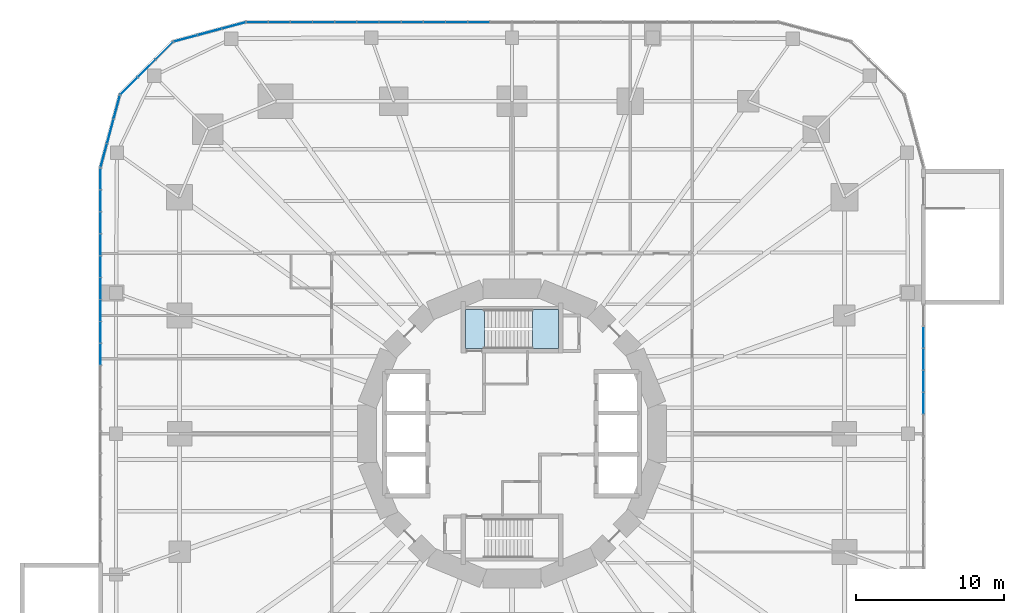
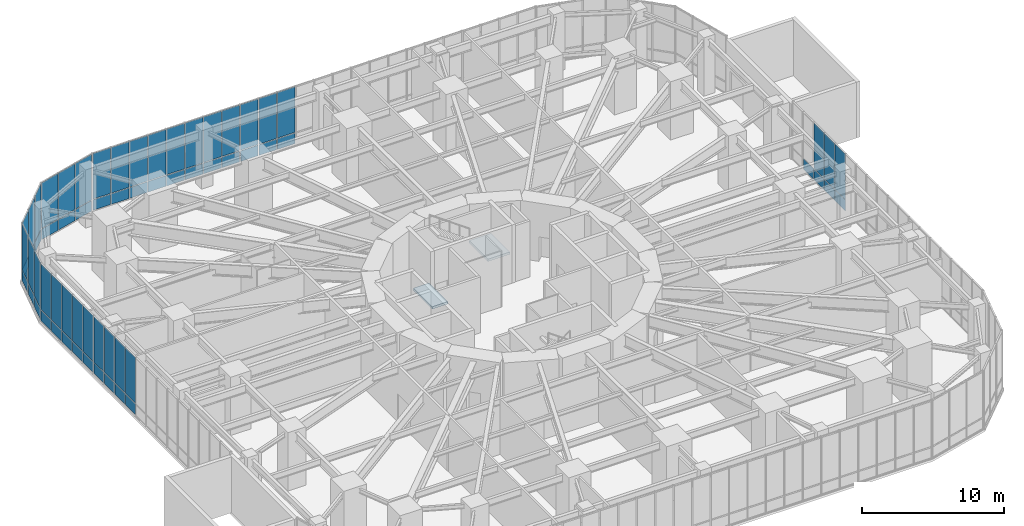
# One storey, part 19 of 24: 65 plates, 2 slabs, 7 elements without a shape of their own.
"""IFC4 building model written with IfcOpenShell, lengths in metres."""

from ifc_helpers import new_model, si_unit, direction, frame, origin, origin_2d, place, context, subcontext, project, spatial, polyline, rectangle, outline, extrude, material, layer, layer_set, type_object, element, aggregate, save


model = new_model("IFC4")

# Units and contexts
model_context = context("Model", 3, precision=1e-05, world=origin(), true_north=direction((0.0, 1.0)))
body_context = subcontext(model_context, "Body", "Model", "MODEL_VIEW")
ifc_project = project(units=[si_unit("LENGTHUNIT", "METRE"), si_unit("AREAUNIT", "SQUARE_METRE"), si_unit("VOLUMEUNIT", "CUBIC_METRE"), si_unit("PLANEANGLEUNIT", "RADIAN"), si_unit("MASSUNIT", "GRAM", prefix="KILO")], contexts=[model_context])

# Site, building, storey
site_placement = place(None, origin())
site = spatial("IfcSite", under=ifc_project, at=site_placement, CompositionType="ELEMENT")
building_placement = place(site_placement, origin())
building = spatial("IfcBuilding", under=site, at=building_placement, Name="Nakasero Lantern House", CompositionType="ELEMENT")
storey_placement = place(building_placement, frame((0.0, 0.0, 11.0)))
storey = spatial("IfcBuildingStorey", under=building, at=storey_placement, Name="L02", CompositionType="ELEMENT", Elevation=11.0)

# Curtain wall, plates
ifc_material_1 = material(Name="Aluminium 6063-T6 and glass", Category="aluminium")
curtain_wall_type = type_object("IfcCurtainWallType", Name="Podium curtain wall CW-2", PredefinedType="USERDEFINED", material=ifc_material_1)
curtain_wall_1_placement = place(storey_placement, origin())
curtain_wall_1 = element("IfcCurtainWall", 1, at=curtain_wall_1_placement, inside=storey, type_object=curtain_wall_type, Name="Curtain wall CW-2 L02", ObjectType="STICK CURTAIN WALL", PredefinedType="USERDEFINED")
ifc_material_2 = material(Name="Glass", Category="glass")
ifc_layer_1 = layer(ifc_material_2, 0.028076171875)
ifc_layer_set_1 = layer_set([ifc_layer_1], Name="Glazed panel CW-2")
plate_type = type_object("IfcPlateType", Name="Glazed panel CW-2", PredefinedType="CURTAIN_PANEL", material=ifc_layer_set_1)
plate_1_placement = place(storey_placement, frame((27.85009765625, 2.0625, 0.06005859375), z_axis=(0.0, 0.0, 1.0), x_axis=(0.0, 1.0, 0.0)))
plate_1 = element("IfcPlate", 2, at=plate_1_placement, type_object=plate_type, Name="CW-2 panel 14.1", PredefinedType="CURTAIN_PANEL", context=body_context, shape_type="SweptSolid", body=[
    extrude(rectangle(XDim=1.426025390625, YDim=0.028076171875, at=origin_2d()), origin(), (0.0, 0.0, 1.0), 0.909912109375),
])
plate_2_placement = place(storey_placement, frame((27.85009765625, 2.0625, 1.0302734375), z_axis=(0.0, 0.0, 1.0), x_axis=(0.0, 1.0, 0.0)))
plate_2 = element("IfcPlate", 3, at=plate_2_placement, type_object=plate_type, Name="CW-2 panel 14.2", PredefinedType="CURTAIN_PANEL", context=body_context, shape_type="SweptSolid", body=[
    extrude(rectangle(XDim=1.426025390625, YDim=0.028076171875, at=origin_2d()), origin(), (0.0, 0.0, 1.0), 3.909912109375),
])
plate_3_placement = place(storey_placement, frame((27.85009765625, 3.548583984375, 0.06005859375), z_axis=(0.0, 0.0, 1.0), x_axis=(0.0, 1.0, 0.0)))
plate_3 = element("IfcPlate", 4, at=plate_3_placement, type_object=plate_type, Name="CW-2 panel 15.1", PredefinedType="CURTAIN_PANEL", context=body_context, shape_type="SweptSolid", body=[
    extrude(rectangle(XDim=1.426025390625, YDim=0.028076171875, at=origin_2d()), origin(), (0.0, 0.0, 1.0), 0.909912109375),
])
plate_4_placement = place(storey_placement, frame((27.85009765625, 3.548583984375, 1.0302734375), z_axis=(0.0, 0.0, 1.0), x_axis=(0.0, 1.0, 0.0)))
plate_4 = element("IfcPlate", 5, at=plate_4_placement, type_object=plate_type, Name="CW-2 panel 15.2", PredefinedType="CURTAIN_PANEL", context=body_context, shape_type="SweptSolid", body=[
    extrude(rectangle(XDim=1.426025390625, YDim=0.028076171875, at=origin_2d()), origin(), (0.0, 0.0, 1.0), 3.909912109375),
])
plate_5_placement = place(storey_placement, frame((27.85009765625, 5.03466796875, 0.06005859375), z_axis=(0.0, 0.0, 1.0), x_axis=(0.0, 1.0, 0.0)))
plate_5 = element("IfcPlate", 6, at=plate_5_placement, type_object=plate_type, Name="CW-2 panel 16.1", PredefinedType="CURTAIN_PANEL", context=body_context, shape_type="SweptSolid", body=[
    extrude(rectangle(XDim=1.426025390625, YDim=0.028076171875, at=origin_2d()), origin(), (0.0, 0.0, 1.0), 0.909912109375),
])
plate_6_placement = place(storey_placement, frame((27.85009765625, 5.03466796875, 1.0302734375), z_axis=(0.0, 0.0, 1.0), x_axis=(0.0, 1.0, 0.0)))
plate_6 = element("IfcPlate", 7, at=plate_6_placement, type_object=plate_type, Name="CW-2 panel 16.2", PredefinedType="CURTAIN_PANEL", context=body_context, shape_type="SweptSolid", body=[
    extrude(rectangle(XDim=1.426025390625, YDim=0.028076171875, at=origin_2d()), origin(), (0.0, 0.0, 1.0), 3.909912109375),
])
plate_7_placement = place(storey_placement, frame((27.85009765625, 6.520751953125, 0.06005859375), z_axis=(0.0, 0.0, 1.0), x_axis=(0.0, 1.0, 0.0)))
plate_7 = element("IfcPlate", 8, at=plate_7_placement, type_object=plate_type, Name="CW-2 panel 17.1", PredefinedType="CURTAIN_PANEL", context=body_context, shape_type="SweptSolid", body=[
    extrude(rectangle(XDim=1.426025390625, YDim=0.028076171875, at=origin_2d()), origin(), (0.0, 0.0, 1.0), 0.909912109375),
])
aggregate(curtain_wall_1, [plate_1, plate_2, plate_3, plate_4, plate_5, plate_6, plate_7])

curtain_wall_2_placement = place(storey_placement, origin())
curtain_wall_2 = element("IfcCurtainWall", 9, at=curtain_wall_2_placement, inside=storey, type_object=curtain_wall_type, Name="Curtain wall CW-2 L02", ObjectType="STICK CURTAIN WALL", PredefinedType="USERDEFINED")
plate_8_placement = place(storey_placement, frame((-2.25, 27.85009765625, 0.06005859375), z_axis=(0.0, 0.0, 1.0), x_axis=(-1.0, 0.0, 0.0)))
plate_8 = element("IfcPlate", 10, at=plate_8_placement, type_object=plate_type, Name="CW-2 panel 14.1", PredefinedType="CURTAIN_PANEL", context=body_context, shape_type="SweptSolid", body=[
    extrude(rectangle(XDim=1.43994140625, YDim=0.028076171875, at=origin_2d()), origin(), (0.0, 0.0, 1.0), 0.909912109375),
])
plate_9_placement = place(storey_placement, frame((-2.25, 27.85009765625, 1.0302734375), z_axis=(0.0, 0.0, 1.0), x_axis=(-1.0, 0.0, 0.0)))
plate_9 = element("IfcPlate", 11, at=plate_9_placement, type_object=plate_type, Name="CW-2 panel 14.2", PredefinedType="CURTAIN_PANEL", context=body_context, shape_type="SweptSolid", body=[
    extrude(rectangle(XDim=1.43994140625, YDim=0.028076171875, at=origin_2d()), origin(), (0.0, 0.0, 1.0), 3.909912109375),
])
plate_10_placement = place(storey_placement, frame((-3.75, 27.85009765625, 0.06005859375), z_axis=(0.0, 0.0, 1.0), x_axis=(-1.0, 0.0, 0.0)))
plate_10 = element("IfcPlate", 12, at=plate_10_placement, type_object=plate_type, Name="CW-2 panel 15.1", PredefinedType="CURTAIN_PANEL", context=body_context, shape_type="SweptSolid", body=[
    extrude(rectangle(XDim=1.43994140625, YDim=0.028076171875, at=origin_2d()), origin(), (0.0, 0.0, 1.0), 0.909912109375),
])
plate_11_placement = place(storey_placement, frame((-3.75, 27.85009765625, 1.0302734375), z_axis=(0.0, 0.0, 1.0), x_axis=(-1.0, 0.0, 0.0)))
plate_11 = element("IfcPlate", 13, at=plate_11_placement, type_object=plate_type, Name="CW-2 panel 15.2", PredefinedType="CURTAIN_PANEL", context=body_context, shape_type="SweptSolid", body=[
    extrude(rectangle(XDim=1.43994140625, YDim=0.028076171875, at=origin_2d()), origin(), (0.0, 0.0, 1.0), 3.909912109375),
])
plate_12_placement = place(storey_placement, frame((-5.25, 27.85009765625, 0.06005859375), z_axis=(0.0, 0.0, 1.0), x_axis=(-1.0, 0.0, 0.0)))
plate_12 = element("IfcPlate", 14, at=plate_12_placement, type_object=plate_type, Name="CW-2 panel 16.1", PredefinedType="CURTAIN_PANEL", context=body_context, shape_type="SweptSolid", body=[
    extrude(rectangle(XDim=1.43994140625, YDim=0.028076171875, at=origin_2d()), origin(), (0.0, 0.0, 1.0), 0.909912109375),
])
plate_13_placement = place(storey_placement, frame((-5.25, 27.85009765625, 1.0302734375), z_axis=(0.0, 0.0, 1.0), x_axis=(-1.0, 0.0, 0.0)))
plate_13 = element("IfcPlate", 15, at=plate_13_placement, type_object=plate_type, Name="CW-2 panel 16.2", PredefinedType="CURTAIN_PANEL", context=body_context, shape_type="SweptSolid", body=[
    extrude(rectangle(XDim=1.43994140625, YDim=0.028076171875, at=origin_2d()), origin(), (0.0, 0.0, 1.0), 3.909912109375),
])
plate_14_placement = place(storey_placement, frame((-6.75, 27.85009765625, 0.06005859375), z_axis=(0.0, 0.0, 1.0), x_axis=(-1.0, 0.0, 0.0)))
plate_14 = element("IfcPlate", 16, at=plate_14_placement, type_object=plate_type, Name="CW-2 panel 17.1", PredefinedType="CURTAIN_PANEL", context=body_context, shape_type="SweptSolid", body=[
    extrude(rectangle(XDim=1.43994140625, YDim=0.028076171875, at=origin_2d()), origin(), (0.0, 0.0, 1.0), 0.909912109375),
])
plate_15_placement = place(storey_placement, frame((-6.75, 27.85009765625, 1.0302734375), z_axis=(0.0, 0.0, 1.0), x_axis=(-1.0, 0.0, 0.0)))
plate_15 = element("IfcPlate", 17, at=plate_15_placement, type_object=plate_type, Name="CW-2 panel 17.2", PredefinedType="CURTAIN_PANEL", context=body_context, shape_type="SweptSolid", body=[
    extrude(rectangle(XDim=1.43994140625, YDim=0.028076171875, at=origin_2d()), origin(), (0.0, 0.0, 1.0), 3.909912109375),
])
plate_16_placement = place(storey_placement, frame((-8.25, 27.85009765625, 0.06005859375), z_axis=(0.0, 0.0, 1.0), x_axis=(-1.0, 0.0, 0.0)))
plate_16 = element("IfcPlate", 18, at=plate_16_placement, type_object=plate_type, Name="CW-2 panel 18.1", PredefinedType="CURTAIN_PANEL", context=body_context, shape_type="SweptSolid", body=[
    extrude(rectangle(XDim=1.43994140625, YDim=0.028076171875, at=origin_2d()), origin(), (0.0, 0.0, 1.0), 0.909912109375),
])
plate_17_placement = place(storey_placement, frame((-8.25, 27.85009765625, 1.0302734375), z_axis=(0.0, 0.0, 1.0), x_axis=(-1.0, 0.0, 0.0)))
plate_17 = element("IfcPlate", 19, at=plate_17_placement, type_object=plate_type, Name="CW-2 panel 18.2", PredefinedType="CURTAIN_PANEL", context=body_context, shape_type="SweptSolid", body=[
    extrude(rectangle(XDim=1.43994140625, YDim=0.028076171875, at=origin_2d()), origin(), (0.0, 0.0, 1.0), 3.909912109375),
])
plate_18_placement = place(storey_placement, frame((-9.75, 27.85009765625, 0.06005859375), z_axis=(0.0, 0.0, 1.0), x_axis=(-1.0, 0.0, 0.0)))
plate_18 = element("IfcPlate", 20, at=plate_18_placement, type_object=plate_type, Name="CW-2 panel 19.1", PredefinedType="CURTAIN_PANEL", context=body_context, shape_type="SweptSolid", body=[
    extrude(rectangle(XDim=1.43994140625, YDim=0.028076171875, at=origin_2d()), origin(), (0.0, 0.0, 1.0), 0.909912109375),
])
plate_19_placement = place(storey_placement, frame((-9.75, 27.85009765625, 1.0302734375), z_axis=(0.0, 0.0, 1.0), x_axis=(-1.0, 0.0, 0.0)))
plate_19 = element("IfcPlate", 21, at=plate_19_placement, type_object=plate_type, Name="CW-2 panel 19.2", PredefinedType="CURTAIN_PANEL", context=body_context, shape_type="SweptSolid", body=[
    extrude(rectangle(XDim=1.43994140625, YDim=0.028076171875, at=origin_2d()), origin(), (0.0, 0.0, 1.0), 3.909912109375),
])
plate_20_placement = place(storey_placement, frame((-11.25, 27.85009765625, 0.06005859375), z_axis=(0.0, 0.0, 1.0), x_axis=(-1.0, 0.0, 0.0)))
plate_20 = element("IfcPlate", 22, at=plate_20_placement, type_object=plate_type, Name="CW-2 panel 20.1", PredefinedType="CURTAIN_PANEL", context=body_context, shape_type="SweptSolid", body=[
    extrude(rectangle(XDim=1.43994140625, YDim=0.028076171875, at=origin_2d()), origin(), (0.0, 0.0, 1.0), 0.909912109375),
])
plate_21_placement = place(storey_placement, frame((-11.25, 27.85009765625, 1.0302734375), z_axis=(0.0, 0.0, 1.0), x_axis=(-1.0, 0.0, 0.0)))
plate_21 = element("IfcPlate", 23, at=plate_21_placement, type_object=plate_type, Name="CW-2 panel 20.2", PredefinedType="CURTAIN_PANEL", context=body_context, shape_type="SweptSolid", body=[
    extrude(rectangle(XDim=1.43994140625, YDim=0.028076171875, at=origin_2d()), origin(), (0.0, 0.0, 1.0), 3.909912109375),
])
plate_22_placement = place(storey_placement, frame((-12.75, 27.85009765625, 0.06005859375), z_axis=(0.0, 0.0, 1.0), x_axis=(-1.0, 0.0, 0.0)))
plate_22 = element("IfcPlate", 24, at=plate_22_placement, type_object=plate_type, Name="CW-2 panel 21.1", PredefinedType="CURTAIN_PANEL", context=body_context, shape_type="SweptSolid", body=[
    extrude(rectangle(XDim=1.43994140625, YDim=0.028076171875, at=origin_2d()), origin(), (0.0, 0.0, 1.0), 0.909912109375),
])
plate_23_placement = place(storey_placement, frame((-12.75, 27.85009765625, 1.0302734375), z_axis=(0.0, 0.0, 1.0), x_axis=(-1.0, 0.0, 0.0)))
plate_23 = element("IfcPlate", 25, at=plate_23_placement, type_object=plate_type, Name="CW-2 panel 21.2", PredefinedType="CURTAIN_PANEL", context=body_context, shape_type="SweptSolid", body=[
    extrude(rectangle(XDim=1.43994140625, YDim=0.028076171875, at=origin_2d()), origin(), (0.0, 0.0, 1.0), 3.909912109375),
])
plate_24_placement = place(storey_placement, frame((-14.25, 27.85009765625, 0.06005859375), z_axis=(0.0, 0.0, 1.0), x_axis=(-1.0, 0.0, 0.0)))
plate_24 = element("IfcPlate", 26, at=plate_24_placement, type_object=plate_type, Name="CW-2 panel 22.1", PredefinedType="CURTAIN_PANEL", context=body_context, shape_type="SweptSolid", body=[
    extrude(rectangle(XDim=1.43994140625, YDim=0.028076171875, at=origin_2d()), origin(), (0.0, 0.0, 1.0), 0.909912109375),
])
plate_25_placement = place(storey_placement, frame((-14.25, 27.85009765625, 1.0302734375), z_axis=(0.0, 0.0, 1.0), x_axis=(-1.0, 0.0, 0.0)))
plate_25 = element("IfcPlate", 27, at=plate_25_placement, type_object=plate_type, Name="CW-2 panel 22.2", PredefinedType="CURTAIN_PANEL", context=body_context, shape_type="SweptSolid", body=[
    extrude(rectangle(XDim=1.43994140625, YDim=0.028076171875, at=origin_2d()), origin(), (0.0, 0.0, 1.0), 3.909912109375),
])
plate_26_placement = place(storey_placement, frame((-15.75, 27.85009765625, 0.06005859375), z_axis=(0.0, 0.0, 1.0), x_axis=(-1.0, 0.0, 0.0)))
plate_26 = element("IfcPlate", 28, at=plate_26_placement, type_object=plate_type, Name="CW-2 panel 23.1", PredefinedType="CURTAIN_PANEL", context=body_context, shape_type="SweptSolid", body=[
    extrude(rectangle(XDim=1.43994140625, YDim=0.028076171875, at=origin_2d()), origin(), (0.0, 0.0, 1.0), 0.909912109375),
])
plate_27_placement = place(storey_placement, frame((-15.75, 27.85009765625, 1.0302734375), z_axis=(0.0, 0.0, 1.0), x_axis=(-1.0, 0.0, 0.0)))
plate_27 = element("IfcPlate", 29, at=plate_27_placement, type_object=plate_type, Name="CW-2 panel 23.2", PredefinedType="CURTAIN_PANEL", context=body_context, shape_type="SweptSolid", body=[
    extrude(rectangle(XDim=1.43994140625, YDim=0.028076171875, at=origin_2d()), origin(), (0.0, 0.0, 1.0), 3.909912109375),
])
plate_28_placement = place(storey_placement, frame((-17.235107421875, 27.85009765625, 0.06005859375), z_axis=(0.0, 0.0, 1.0), x_axis=(-1.0, 0.0, 0.0)))
plate_28 = element("IfcPlate", 30, at=plate_28_placement, type_object=plate_type, Name="CW-2 panel 24.1", PredefinedType="CURTAIN_PANEL", context=body_context, shape_type="SweptSolid", body=[
    extrude(rectangle(XDim=1.409912109375, YDim=0.028076171875, at=origin_2d()), origin(), (0.0, 0.0, 1.0), 0.909912109375),
])
plate_29_placement = place(storey_placement, frame((-17.235107421875, 27.85009765625, 1.0302734375), z_axis=(0.0, 0.0, 1.0), x_axis=(-1.0, 0.0, 0.0)))
plate_29 = element("IfcPlate", 31, at=plate_29_placement, type_object=plate_type, Name="CW-2 panel 24.2", PredefinedType="CURTAIN_PANEL", context=body_context, shape_type="SweptSolid", body=[
    extrude(rectangle(XDim=1.409912109375, YDim=0.028076171875, at=origin_2d()), origin(), (0.0, 0.0, 1.0), 3.909912109375),
])
aggregate(curtain_wall_2, [plate_8, plate_9, plate_10, plate_11, plate_12, plate_13, plate_14, plate_15, plate_16, plate_17, plate_18, plate_19, plate_20, plate_21, plate_22, plate_23, plate_24, plate_25, plate_26, plate_27, plate_28, plate_29])

curtain_wall_3_placement = place(storey_placement, origin())
curtain_wall_3 = element("IfcCurtainWall", 32, at=curtain_wall_3_placement, inside=storey, type_object=curtain_wall_type, Name="Curtain wall CW-2 L02", ObjectType="STICK CURTAIN WALL", PredefinedType="USERDEFINED")
plate_30_placement = place(storey_placement, frame((-18.835205078125, 27.626220703125, 0.06005859375), z_axis=(0.0, 0.0, 1.0), x_axis=(-0.965925826276, -0.258819045153, 0.0)))
plate_30 = element("IfcPlate", 33, at=plate_30_placement, type_object=plate_type, Name="CW-2 panel 1.1", PredefinedType="CURTAIN_PANEL", context=body_context, shape_type="SweptSolid", body=[
    extrude(rectangle(XDim=1.609619140625, YDim=0.028076171875, at=origin_2d()), origin(), (0.0, 0.0, 1.0), 0.909912109375),
])
plate_31_placement = place(storey_placement, frame((-18.835205078125, 27.626220703125, 1.0302734375), z_axis=(0.0, 0.0, 1.0), x_axis=(-0.965925826276, -0.258819045153, 0.0)))
plate_31 = element("IfcPlate", 34, at=plate_31_placement, type_object=plate_type, Name="CW-2 panel 1.2", PredefinedType="CURTAIN_PANEL", context=body_context, shape_type="SweptSolid", body=[
    extrude(rectangle(XDim=1.609619140625, YDim=0.028076171875, at=origin_2d()), origin(), (0.0, 0.0, 1.0), 3.909912109375),
])
plate_32_placement = place(storey_placement, frame((-20.46240234375, 27.190185546875, 0.06005859375), z_axis=(0.0, 0.0, 1.0), x_axis=(-0.965925826276, -0.258819045153, 0.0)))
plate_32 = element("IfcPlate", 35, at=plate_32_placement, type_object=plate_type, Name="CW-2 panel 2.1", PredefinedType="CURTAIN_PANEL", context=body_context, shape_type="SweptSolid", body=[
    extrude(rectangle(XDim=1.6396484375, YDim=0.028076171875, at=origin_2d()), origin(), (0.0, 0.0, 1.0), 0.909912109375),
])
plate_33_placement = place(storey_placement, frame((-20.46240234375, 27.190185546875, 1.0302734375), z_axis=(0.0, 0.0, 1.0), x_axis=(-0.965925826276, -0.258819045153, 0.0)))
plate_33 = element("IfcPlate", 36, at=plate_33_placement, type_object=plate_type, Name="CW-2 panel 2.2", PredefinedType="CURTAIN_PANEL", context=body_context, shape_type="SweptSolid", body=[
    extrude(rectangle(XDim=1.6396484375, YDim=0.028076171875, at=origin_2d()), origin(), (0.0, 0.0, 1.0), 3.909912109375),
])
plate_34_placement = place(storey_placement, frame((-22.089599609375, 26.754150390625, 0.06005859375), z_axis=(0.0, 0.0, 1.0), x_axis=(-0.965925826276, -0.258819045153, 0.0)))
plate_34 = element("IfcPlate", 37, at=plate_34_placement, type_object=plate_type, Name="CW-2 panel 3.1", PredefinedType="CURTAIN_PANEL", context=body_context, shape_type="SweptSolid", body=[
    extrude(rectangle(XDim=1.609619140625, YDim=0.028076171875, at=origin_2d()), origin(), (0.0, 0.0, 1.0), 0.909912109375),
])
plate_35_placement = place(storey_placement, frame((-22.089599609375, 26.754150390625, 1.0302734375), z_axis=(0.0, 0.0, 1.0), x_axis=(-0.965925826276, -0.258819045153, 0.0)))
plate_35 = element("IfcPlate", 38, at=plate_35_placement, type_object=plate_type, Name="CW-2 panel 3.2", PredefinedType="CURTAIN_PANEL", context=body_context, shape_type="SweptSolid", body=[
    extrude(rectangle(XDim=1.609619140625, YDim=0.028076171875, at=origin_2d()), origin(), (0.0, 0.0, 1.0), 3.909912109375),
])
aggregate(curtain_wall_3, [plate_30, plate_31, plate_32, plate_33, plate_34, plate_35])

curtain_wall_4_placement = place(storey_placement, origin())
curtain_wall_4 = element("IfcCurtainWall", 39, at=curtain_wall_4_placement, inside=storey, type_object=curtain_wall_type, Name="Curtain wall CW-2 L02", ObjectType="STICK CURTAIN WALL", PredefinedType="USERDEFINED")
plate_36_placement = place(storey_placement, frame((-23.536376953125, 25.9189453125, 0.06005859375), z_axis=(0.0, 0.0, 1.0), x_axis=(-0.707106781187, -0.707106781187, 0.0)))
plate_36 = element("IfcPlate", 40, at=plate_36_placement, type_object=plate_type, Name="CW-2 panel 1.1", PredefinedType="CURTAIN_PANEL", context=body_context, shape_type="SweptSolid", body=[
    extrude(rectangle(XDim=1.609619140625, YDim=0.028076171875, at=origin_2d()), origin(), (0.0, 0.0, 1.0), 0.909912109375),
])
plate_37_placement = place(storey_placement, frame((-23.536376953125, 25.9189453125, 1.0302734375), z_axis=(0.0, 0.0, 1.0), x_axis=(-0.707106781187, -0.707106781187, 0.0)))
plate_37 = element("IfcPlate", 41, at=plate_37_placement, type_object=plate_type, Name="CW-2 panel 1.2", PredefinedType="CURTAIN_PANEL", context=body_context, shape_type="SweptSolid", body=[
    extrude(rectangle(XDim=1.609619140625, YDim=0.028076171875, at=origin_2d()), origin(), (0.0, 0.0, 1.0), 3.909912109375),
])
plate_38_placement = place(storey_placement, frame((-24.727783203125, 24.727783203125, 0.06005859375), z_axis=(0.0, 0.0, 1.0), x_axis=(-0.707106781187, -0.707106781187, 0.0)))
plate_38 = element("IfcPlate", 42, at=plate_38_placement, type_object=plate_type, Name="CW-2 panel 2.1", PredefinedType="CURTAIN_PANEL", context=body_context, shape_type="SweptSolid", body=[
    extrude(rectangle(XDim=1.6396484375, YDim=0.028076171875, at=origin_2d()), origin(), (0.0, 0.0, 1.0), 0.909912109375),
])
plate_39_placement = place(storey_placement, frame((-24.727783203125, 24.727783203125, 1.0302734375), z_axis=(0.0, 0.0, 1.0), x_axis=(-0.707106781187, -0.707106781187, 0.0)))
plate_39 = element("IfcPlate", 43, at=plate_39_placement, type_object=plate_type, Name="CW-2 panel 2.2", PredefinedType="CURTAIN_PANEL", context=body_context, shape_type="SweptSolid", body=[
    extrude(rectangle(XDim=1.6396484375, YDim=0.028076171875, at=origin_2d()), origin(), (0.0, 0.0, 1.0), 3.909912109375),
])
plate_40_placement = place(storey_placement, frame((-25.9189453125, 23.536376953125, 0.06005859375), z_axis=(0.0, 0.0, 1.0), x_axis=(-0.707106781187, -0.707106781187, 0.0)))
plate_40 = element("IfcPlate", 44, at=plate_40_placement, type_object=plate_type, Name="CW-2 panel 3.1", PredefinedType="CURTAIN_PANEL", context=body_context, shape_type="SweptSolid", body=[
    extrude(rectangle(XDim=1.609619140625, YDim=0.028076171875, at=origin_2d()), origin(), (0.0, 0.0, 1.0), 0.909912109375),
])
plate_41_placement = place(storey_placement, frame((-25.9189453125, 23.536376953125, 1.0302734375), z_axis=(0.0, 0.0, 1.0), x_axis=(-0.707106781187, -0.707106781187, 0.0)))
plate_41 = element("IfcPlate", 45, at=plate_41_placement, type_object=plate_type, Name="CW-2 panel 3.2", PredefinedType="CURTAIN_PANEL", context=body_context, shape_type="SweptSolid", body=[
    extrude(rectangle(XDim=1.609619140625, YDim=0.028076171875, at=origin_2d()), origin(), (0.0, 0.0, 1.0), 3.909912109375),
])
aggregate(curtain_wall_4, [plate_36, plate_37, plate_38, plate_39, plate_40, plate_41])

curtain_wall_5_placement = place(storey_placement, origin())
curtain_wall_5 = element("IfcCurtainWall", 46, at=curtain_wall_5_placement, inside=storey, type_object=curtain_wall_type, Name="Curtain wall CW-2 L02", ObjectType="STICK CURTAIN WALL", PredefinedType="USERDEFINED")
plate_42_placement = place(storey_placement, frame((-26.754150390625, 22.089599609375, 0.06005859375), z_axis=(0.0, 0.0, 1.0), x_axis=(-0.258819045153, -0.965925826276, 0.0)))
plate_42 = element("IfcPlate", 47, at=plate_42_placement, type_object=plate_type, Name="CW-2 panel 1.1", PredefinedType="CURTAIN_PANEL", context=body_context, shape_type="SweptSolid", body=[
    extrude(rectangle(XDim=1.609619140625, YDim=0.028076171875, at=origin_2d()), origin(), (0.0, 0.0, 1.0), 0.909912109375),
])
plate_43_placement = place(storey_placement, frame((-26.754150390625, 22.089599609375, 1.0302734375), z_axis=(0.0, 0.0, 1.0), x_axis=(-0.258819045153, -0.965925826276, 0.0)))
plate_43 = element("IfcPlate", 48, at=plate_43_placement, type_object=plate_type, Name="CW-2 panel 1.2", PredefinedType="CURTAIN_PANEL", context=body_context, shape_type="SweptSolid", body=[
    extrude(rectangle(XDim=1.609619140625, YDim=0.028076171875, at=origin_2d()), origin(), (0.0, 0.0, 1.0), 3.909912109375),
])
plate_44_placement = place(storey_placement, frame((-27.190185546875, 20.46240234375, 0.06005859375), z_axis=(0.0, 0.0, 1.0), x_axis=(-0.258819045153, -0.965925826276, 0.0)))
plate_44 = element("IfcPlate", 49, at=plate_44_placement, type_object=plate_type, Name="CW-2 panel 2.1", PredefinedType="CURTAIN_PANEL", context=body_context, shape_type="SweptSolid", body=[
    extrude(rectangle(XDim=1.6396484375, YDim=0.028076171875, at=origin_2d()), origin(), (0.0, 0.0, 1.0), 0.909912109375),
])
plate_45_placement = place(storey_placement, frame((-27.190185546875, 20.46240234375, 1.0302734375), z_axis=(0.0, 0.0, 1.0), x_axis=(-0.258819045153, -0.965925826276, 0.0)))
plate_45 = element("IfcPlate", 50, at=plate_45_placement, type_object=plate_type, Name="CW-2 panel 2.2", PredefinedType="CURTAIN_PANEL", context=body_context, shape_type="SweptSolid", body=[
    extrude(rectangle(XDim=1.6396484375, YDim=0.028076171875, at=origin_2d()), origin(), (0.0, 0.0, 1.0), 3.909912109375),
])
plate_46_placement = place(storey_placement, frame((-27.626220703125, 18.835205078125, 0.06005859375), z_axis=(0.0, 0.0, 1.0), x_axis=(-0.258819045153, -0.965925826276, 0.0)))
plate_46 = element("IfcPlate", 51, at=plate_46_placement, type_object=plate_type, Name="CW-2 panel 3.1", PredefinedType="CURTAIN_PANEL", context=body_context, shape_type="SweptSolid", body=[
    extrude(rectangle(XDim=1.609619140625, YDim=0.028076171875, at=origin_2d()), origin(), (0.0, 0.0, 1.0), 0.909912109375),
])
plate_47_placement = place(storey_placement, frame((-27.626220703125, 18.835205078125, 1.0302734375), z_axis=(0.0, 0.0, 1.0), x_axis=(-0.258819045153, -0.965925826276, 0.0)))
plate_47 = element("IfcPlate", 52, at=plate_47_placement, type_object=plate_type, Name="CW-2 panel 3.2", PredefinedType="CURTAIN_PANEL", context=body_context, shape_type="SweptSolid", body=[
    extrude(rectangle(XDim=1.609619140625, YDim=0.028076171875, at=origin_2d()), origin(), (0.0, 0.0, 1.0), 3.909912109375),
])
aggregate(curtain_wall_5, [plate_42, plate_43, plate_44, plate_45, plate_46, plate_47])

curtain_wall_6_placement = place(storey_placement, origin())
curtain_wall_6 = element("IfcCurtainWall", 53, at=curtain_wall_6_placement, inside=storey, type_object=curtain_wall_type, Name="Curtain wall CW-2 L02", ObjectType="STICK CURTAIN WALL", PredefinedType="USERDEFINED")
plate_48_placement = place(storey_placement, frame((-27.85009765625, 17.241943359375, 0.06005859375), z_axis=(0.0, 0.0, 1.0), x_axis=(0.0, -1.0, 0.0)))
plate_48 = element("IfcPlate", 54, at=plate_48_placement, type_object=plate_type, Name="CW-2 panel 1.1", PredefinedType="CURTAIN_PANEL", context=body_context, shape_type="SweptSolid", body=[
    extrude(rectangle(XDim=1.39599609375, YDim=0.028076171875, at=origin_2d()), origin(), (0.0, 0.0, 1.0), 0.909912109375),
])
plate_49_placement = place(storey_placement, frame((-27.85009765625, 17.241943359375, 1.0302734375), z_axis=(0.0, 0.0, 1.0), x_axis=(0.0, -1.0, 0.0)))
plate_49 = element("IfcPlate", 55, at=plate_49_placement, type_object=plate_type, Name="CW-2 panel 1.2", PredefinedType="CURTAIN_PANEL", context=body_context, shape_type="SweptSolid", body=[
    extrude(rectangle(XDim=1.39599609375, YDim=0.028076171875, at=origin_2d()), origin(), (0.0, 0.0, 1.0), 3.909912109375),
])
plate_50_placement = place(storey_placement, frame((-27.85009765625, 15.770751953125, 0.06005859375), z_axis=(0.0, 0.0, 1.0), x_axis=(0.0, -1.0, 0.0)))
plate_50 = element("IfcPlate", 56, at=plate_50_placement, type_object=plate_type, Name="CW-2 panel 2.1", PredefinedType="CURTAIN_PANEL", context=body_context, shape_type="SweptSolid", body=[
    extrude(rectangle(XDim=1.426025390625, YDim=0.028076171875, at=origin_2d()), origin(), (0.0, 0.0, 1.0), 0.909912109375),
])
plate_51_placement = place(storey_placement, frame((-27.85009765625, 15.770751953125, 1.0302734375), z_axis=(0.0, 0.0, 1.0), x_axis=(0.0, -1.0, 0.0)))
plate_51 = element("IfcPlate", 57, at=plate_51_placement, type_object=plate_type, Name="CW-2 panel 2.2", PredefinedType="CURTAIN_PANEL", context=body_context, shape_type="SweptSolid", body=[
    extrude(rectangle(XDim=1.426025390625, YDim=0.028076171875, at=origin_2d()), origin(), (0.0, 0.0, 1.0), 3.909912109375),
])
plate_52_placement = place(storey_placement, frame((-27.85009765625, 14.28466796875, 0.06005859375), z_axis=(0.0, 0.0, 1.0), x_axis=(0.0, -1.0, 0.0)))
plate_52 = element("IfcPlate", 58, at=plate_52_placement, type_object=plate_type, Name="CW-2 panel 3.1", PredefinedType="CURTAIN_PANEL", context=body_context, shape_type="SweptSolid", body=[
    extrude(rectangle(XDim=1.426025390625, YDim=0.028076171875, at=origin_2d()), origin(), (0.0, 0.0, 1.0), 0.909912109375),
])
plate_53_placement = place(storey_placement, frame((-27.85009765625, 14.28466796875, 1.0302734375), z_axis=(0.0, 0.0, 1.0), x_axis=(0.0, -1.0, 0.0)))
plate_53 = element("IfcPlate", 59, at=plate_53_placement, type_object=plate_type, Name="CW-2 panel 3.2", PredefinedType="CURTAIN_PANEL", context=body_context, shape_type="SweptSolid", body=[
    extrude(rectangle(XDim=1.426025390625, YDim=0.028076171875, at=origin_2d()), origin(), (0.0, 0.0, 1.0), 3.909912109375),
])
plate_54_placement = place(storey_placement, frame((-27.85009765625, 12.798583984375, 0.06005859375), z_axis=(0.0, 0.0, 1.0), x_axis=(0.0, -1.0, 0.0)))
plate_54 = element("IfcPlate", 60, at=plate_54_placement, type_object=plate_type, Name="CW-2 panel 4.1", PredefinedType="CURTAIN_PANEL", context=body_context, shape_type="SweptSolid", body=[
    extrude(rectangle(XDim=1.426025390625, YDim=0.028076171875, at=origin_2d()), origin(), (0.0, 0.0, 1.0), 0.909912109375),
])
plate_55_placement = place(storey_placement, frame((-27.85009765625, 12.798583984375, 1.0302734375), z_axis=(0.0, 0.0, 1.0), x_axis=(0.0, -1.0, 0.0)))
plate_55 = element("IfcPlate", 61, at=plate_55_placement, type_object=plate_type, Name="CW-2 panel 4.2", PredefinedType="CURTAIN_PANEL", context=body_context, shape_type="SweptSolid", body=[
    extrude(rectangle(XDim=1.426025390625, YDim=0.028076171875, at=origin_2d()), origin(), (0.0, 0.0, 1.0), 3.909912109375),
])
plate_56_placement = place(storey_placement, frame((-27.85009765625, 11.3125, 0.06005859375), z_axis=(0.0, 0.0, 1.0), x_axis=(0.0, -1.0, 0.0)))
plate_56 = element("IfcPlate", 62, at=plate_56_placement, type_object=plate_type, Name="CW-2 panel 5.1", PredefinedType="CURTAIN_PANEL", context=body_context, shape_type="SweptSolid", body=[
    extrude(rectangle(XDim=1.426025390625, YDim=0.028076171875, at=origin_2d()), origin(), (0.0, 0.0, 1.0), 0.909912109375),
])
plate_57_placement = place(storey_placement, frame((-27.85009765625, 11.3125, 1.0302734375), z_axis=(0.0, 0.0, 1.0), x_axis=(0.0, -1.0, 0.0)))
plate_57 = element("IfcPlate", 63, at=plate_57_placement, type_object=plate_type, Name="CW-2 panel 5.2", PredefinedType="CURTAIN_PANEL", context=body_context, shape_type="SweptSolid", body=[
    extrude(rectangle(XDim=1.426025390625, YDim=0.028076171875, at=origin_2d()), origin(), (0.0, 0.0, 1.0), 3.909912109375),
])
plate_58_placement = place(storey_placement, frame((-27.85009765625, 9.826416015625, 0.06005859375), z_axis=(0.0, 0.0, 1.0), x_axis=(0.0, -1.0, 0.0)))
plate_58 = element("IfcPlate", 64, at=plate_58_placement, type_object=plate_type, Name="CW-2 panel 6.1", PredefinedType="CURTAIN_PANEL", context=body_context, shape_type="SweptSolid", body=[
    extrude(rectangle(XDim=1.426025390625, YDim=0.028076171875, at=origin_2d()), origin(), (0.0, 0.0, 1.0), 0.909912109375),
])
plate_59_placement = place(storey_placement, frame((-27.85009765625, 9.826416015625, 1.0302734375), z_axis=(0.0, 0.0, 1.0), x_axis=(0.0, -1.0, 0.0)))
plate_59 = element("IfcPlate", 65, at=plate_59_placement, type_object=plate_type, Name="CW-2 panel 6.2", PredefinedType="CURTAIN_PANEL", context=body_context, shape_type="SweptSolid", body=[
    extrude(rectangle(XDim=1.426025390625, YDim=0.028076171875, at=origin_2d()), origin(), (0.0, 0.0, 1.0), 3.909912109375),
])
plate_60_placement = place(storey_placement, frame((-27.85009765625, 8.34033203125, 0.06005859375), z_axis=(0.0, 0.0, 1.0), x_axis=(0.0, -1.0, 0.0)))
plate_60 = element("IfcPlate", 66, at=plate_60_placement, type_object=plate_type, Name="CW-2 panel 7.1", PredefinedType="CURTAIN_PANEL", context=body_context, shape_type="SweptSolid", body=[
    extrude(rectangle(XDim=1.426025390625, YDim=0.028076171875, at=origin_2d()), origin(), (0.0, 0.0, 1.0), 0.909912109375),
])
plate_61_placement = place(storey_placement, frame((-27.85009765625, 8.34033203125, 1.0302734375), z_axis=(0.0, 0.0, 1.0), x_axis=(0.0, -1.0, 0.0)))
plate_61 = element("IfcPlate", 67, at=plate_61_placement, type_object=plate_type, Name="CW-2 panel 7.2", PredefinedType="CURTAIN_PANEL", context=body_context, shape_type="SweptSolid", body=[
    extrude(rectangle(XDim=1.426025390625, YDim=0.028076171875, at=origin_2d()), origin(), (0.0, 0.0, 1.0), 3.909912109375),
])
plate_62_placement = place(storey_placement, frame((-27.85009765625, 6.854248046875, 0.06005859375), z_axis=(0.0, 0.0, 1.0), x_axis=(0.0, -1.0, 0.0)))
plate_62 = element("IfcPlate", 68, at=plate_62_placement, type_object=plate_type, Name="CW-2 panel 8.1", PredefinedType="CURTAIN_PANEL", context=body_context, shape_type="SweptSolid", body=[
    extrude(rectangle(XDim=1.426025390625, YDim=0.028076171875, at=origin_2d()), origin(), (0.0, 0.0, 1.0), 0.909912109375),
])
plate_63_placement = place(storey_placement, frame((-27.85009765625, 6.854248046875, 1.0302734375), z_axis=(0.0, 0.0, 1.0), x_axis=(0.0, -1.0, 0.0)))
plate_63 = element("IfcPlate", 69, at=plate_63_placement, type_object=plate_type, Name="CW-2 panel 8.2", PredefinedType="CURTAIN_PANEL", context=body_context, shape_type="SweptSolid", body=[
    extrude(rectangle(XDim=1.426025390625, YDim=0.028076171875, at=origin_2d()), origin(), (0.0, 0.0, 1.0), 3.909912109375),
])
plate_64_placement = place(storey_placement, frame((-27.85009765625, 5.3681640625, 0.06005859375), z_axis=(0.0, 0.0, 1.0), x_axis=(0.0, -1.0, 0.0)))
plate_64 = element("IfcPlate", 70, at=plate_64_placement, type_object=plate_type, Name="CW-2 panel 9.1", PredefinedType="CURTAIN_PANEL", context=body_context, shape_type="SweptSolid", body=[
    extrude(rectangle(XDim=1.426025390625, YDim=0.028076171875, at=origin_2d()), origin(), (0.0, 0.0, 1.0), 0.909912109375),
])
plate_65_placement = place(storey_placement, frame((-27.85009765625, 5.3681640625, 1.0302734375), z_axis=(0.0, 0.0, 1.0), x_axis=(0.0, -1.0, 0.0)))
plate_65 = element("IfcPlate", 71, at=plate_65_placement, type_object=plate_type, Name="CW-2 panel 9.2", PredefinedType="CURTAIN_PANEL", context=body_context, shape_type="SweptSolid", body=[
    extrude(rectangle(XDim=1.426025390625, YDim=0.028076171875, at=origin_2d()), origin(), (0.0, 0.0, 1.0), 3.909912109375),
])
aggregate(curtain_wall_6, [plate_48, plate_49, plate_50, plate_51, plate_52, plate_53, plate_54, plate_55, plate_56, plate_57, plate_58, plate_59, plate_60, plate_61, plate_62, plate_63, plate_64, plate_65])

# Stair, slabs
ifc_material_3 = material(Name="Concrete C40/50", Category="concrete")
stair_type = type_object("IfcStairType", Name="Escape stair ST1 28 risers", PredefinedType="HALF_TURN_STAIR", material=ifc_material_3)
stair_placement = place(storey_placement, origin())
stair = element("IfcStair", 72, at=stair_placement, inside=storey, type_object=stair_type, Name="Escape stair ST1 L02", PredefinedType="HALF_TURN_STAIR")
ifc_material_4 = material(Name="Concrete C40/50", Category="concrete")
ifc_layer_2 = layer(ifc_material_4, 0.199951171875)
ifc_layer_set_2 = layer_set([ifc_layer_2], Name="Stair landing 200")
slab_type = type_object("IfcSlabType", Name="Stair landing 200", PredefinedType="LANDING", material=ifc_layer_set_2)
slab_1_placement = place(storey_placement, frame((0.0, 0.0, -0.199951171875)))
slab_1 = element("IfcSlab", 73, at=slab_1_placement, type_object=slab_type, Name="ST1 landing 1", PredefinedType="LANDING", context=body_context, shape_type="SweptSolid", body=[
    extrude(outline(polyline([(-3.14990234375, 5.75), (-1.875, 5.75), (-1.875, 8.39990234375), (-3.14990234375, 8.39990234375), (-3.14990234375, 5.75)])), origin(), (0.0, 0.0, 1.0), 0.199951171875),
])
slab_2_placement = place(storey_placement, frame((0.0, 0.0, 2.300048828125)))
slab_2 = element("IfcSlab", 74, at=slab_2_placement, type_object=slab_type, Name="ST1 landing 2", PredefinedType="LANDING", context=body_context, shape_type="SweptSolid", body=[
    extrude(outline(polyline([(1.375, 5.75), (3.14990234375, 5.75), (3.14990234375, 8.39990234375), (1.375, 8.39990234375), (1.375, 5.75)])), origin(), (0.0, 0.0, 1.0), 0.199951171875),
])
aggregate(stair, [slab_1, slab_2])

save(model, "model.ifc")
